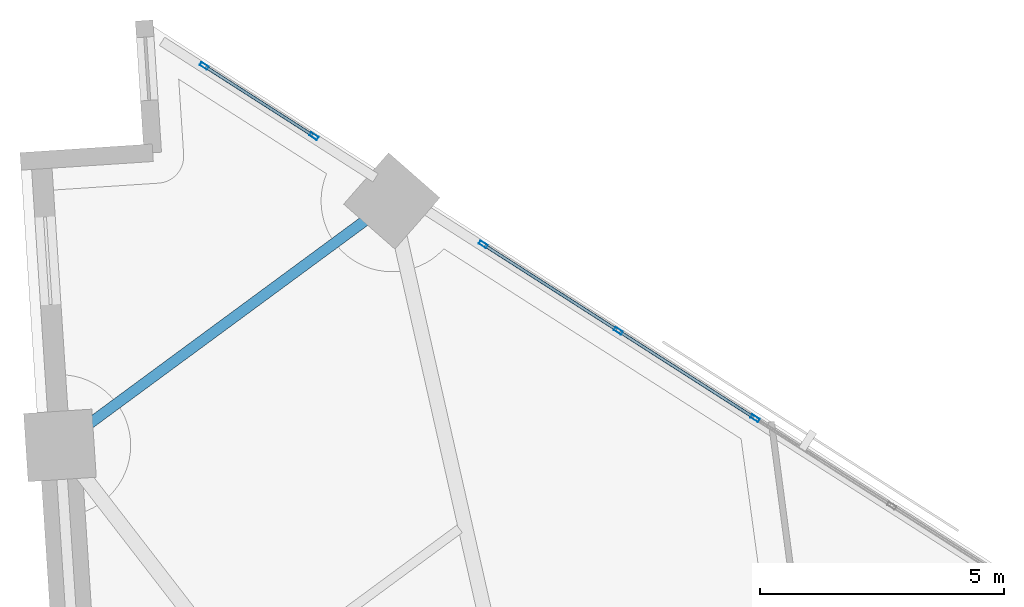
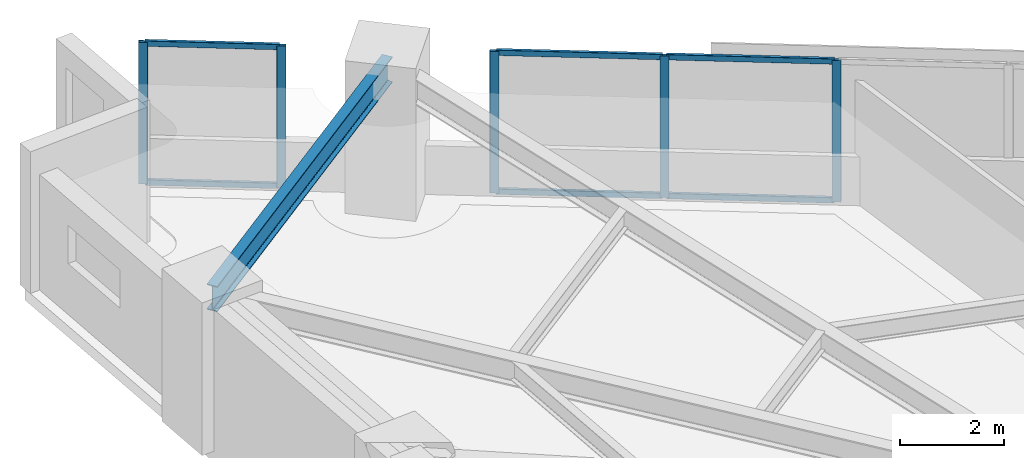
# One storey, part 9 of 16: 11 members, 1 beam, 2 elements without a shape of their own.
"""IFC4 building model written with IfcOpenShell, lengths in metres."""

from ifc_helpers import new_model, si_unit, direction, frame, origin, origin_2d, place, context, subcontext, project, spatial, hollow_rectangle, i_section, extrude, material, material_profile, profile_set, type_object, element, aggregate, save


model = new_model("IFC4")

# Units and contexts
model_context = context("Model", 3, precision=1e-05, world=origin(), true_north=direction((0.0, 1.0)))
body_context = subcontext(model_context, "Body", "Model", "MODEL_VIEW")
ifc_project = project(units=[si_unit("LENGTHUNIT", "METRE"), si_unit("AREAUNIT", "SQUARE_METRE"), si_unit("VOLUMEUNIT", "CUBIC_METRE"), si_unit("PLANEANGLEUNIT", "RADIAN"), si_unit("MASSUNIT", "GRAM", prefix="KILO")], contexts=[model_context])

# Site, building, storey
site_placement = place(None, origin())
site = spatial("IfcSite", under=ifc_project, at=site_placement, CompositionType="ELEMENT")
building_placement = place(site_placement, origin())
building = spatial("IfcBuilding", under=site, at=building_placement, Name="Narakoshi Arena Tower", CompositionType="ELEMENT")
storey_placement = place(building_placement, frame((0.0, 0.0, 66.89990234375)))
storey = spatial("IfcBuildingStorey", under=building, at=storey_placement, Name="L17", CompositionType="ELEMENT", Elevation=66.89990234375)

# Beam
ifc_material_1 = material(Name="Structural steel S355J2", Category="steel")
ifc_material_profile_1 = material_profile(ifc_material_1, i_section(OverallWidth=0.219970703125, OverallDepth=0.60009765625, WebThickness=0.011962890625, FlangeThickness=0.01904296875, FilletRadius=0.02392578125, at=origin_2d()), Name="IPE600")
ifc_profile_set_1 = profile_set([ifc_material_profile_1], Name="Structural steel S355J2")
beam_type = type_object("IfcBeamType", Name="BM-EDGE-600", PredefinedType="BEAM", material=ifc_profile_set_1)
beam_placement = place(storey_placement, frame((67.58984375, 76.04345703125, 3.0400390625), z_axis=(-0.805132069621, -0.59309556605, 0.0), x_axis=(0.59309556605, -0.805132069621, 0.0)))
element("IfcBeam", 1, at=beam_placement, inside=storey, type_object=beam_type, Name="L17 Perimeter Edge Girder 11", PredefinedType="BEAM", context=body_context, shape_type="SweptSolid", body=[
    extrude(i_section(OverallWidth=0.219970703125, OverallDepth=0.60009765625, WebThickness=0.011962890625, FlangeThickness=0.01904296875, FilletRadius=0.02392578125, at=origin_2d()), origin(), (0.0, 0.0, 1.0), 8.451416015625),
])

# Curtain wall, members
ifc_material_2 = material(Name="Anodised bronze aluminium 6063-T6", Category="aluminium")
curtain_wall_type = type_object("IfcCurtainWallType", Name="CW-HYP-LOW", PredefinedType="NOTDEFINED", material=ifc_material_2)
curtain_wall_1_placement = place(storey_placement, origin())
curtain_wall_1 = element("IfcCurtainWall", 2, at=curtain_wall_1_placement, inside=storey, type_object=curtain_wall_type, Name="L17 Folded Hypotenuse Curtain Wall 2-2", PredefinedType="NOTDEFINED")
ifc_material_profile_2 = material_profile(ifc_material_2, hollow_rectangle(XDim=0.074951171875, YDim=0.179931640625, WallThickness=0.00390625, OuterFilletRadius=0.0048828125, at=origin_2d()), Name="MUL180x75x4")
ifc_profile_set_2 = profile_set([ifc_material_profile_2], Name="Anodised bronze aluminium 6063-T6")
member_type_1 = type_object("IfcMemberType", Name="MEM-MUL-180", PredefinedType="MULLION", material=ifc_profile_set_2)
member_1_placement = place(storey_placement, frame((75.039794921875, 71.5869140625, 0.0), z_axis=(0.0, 0.0, 1.0), x_axis=(-0.538829098714, -0.842415100992, 0.0)))
member_1 = element("IfcMember", 3, at=member_1_placement, type_object=member_type_1, Name="CW-01 mullion 4", PredefinedType="MULLION", context=body_context, shape_type="SweptSolid", body=[
    extrude(hollow_rectangle(XDim=0.074951171875, YDim=0.179931640625, WallThickness=0.00390625, OuterFilletRadius=0.0048828125, at=origin_2d()), origin(), (0.0, 0.0, 1.0), 3.340087890625),
])
member_2_placement = place(storey_placement, frame((72.236083984375, 73.380126953125, 0.0), z_axis=(0.0, 0.0, 1.0), x_axis=(-0.538829098714, -0.842415100992, 0.0)))
member_2 = element("IfcMember", 4, at=member_2_placement, type_object=member_type_1, Name="CW-01 mullion 5", PredefinedType="MULLION", context=body_context, shape_type="SweptSolid", body=[
    extrude(hollow_rectangle(XDim=0.074951171875, YDim=0.179931640625, WallThickness=0.00390625, OuterFilletRadius=0.0048828125, at=origin_2d()), origin(), (0.0, 0.0, 1.0), 3.340087890625),
])
member_3_placement = place(storey_placement, frame((69.464111328125, 75.1533203125, 0.0), z_axis=(0.0, 0.0, 1.0), x_axis=(-0.538829098714, -0.842415100992, 0.0)))
member_3 = element("IfcMember", 5, at=member_3_placement, type_object=member_type_1, Name="CW-01 mullion 6", PredefinedType="MULLION", context=body_context, shape_type="SweptSolid", body=[
    extrude(hollow_rectangle(XDim=0.074951171875, YDim=0.179931640625, WallThickness=0.00390625, OuterFilletRadius=0.0048828125, at=origin_2d()), origin(), (0.0, 0.0, 1.0), 3.340087890625),
])

curtain_wall_2_placement = place(storey_placement, origin())
curtain_wall_2 = element("IfcCurtainWall", 6, at=curtain_wall_2_placement, inside=storey, type_object=curtain_wall_type, Name="L17 Folded Hypotenuse Curtain Wall 2-3", PredefinedType="NOTDEFINED")
member_4_placement = place(storey_placement, frame((65.99462890625, 77.372314453125, 0.0), z_axis=(0.0, 0.0, 1.0), x_axis=(-0.538841109017, -0.842407418791, 0.0)))
member_4 = element("IfcMember", 7, at=member_4_placement, type_object=member_type_1, Name="CW-01 mullion 1", PredefinedType="MULLION", context=body_context, shape_type="SweptSolid", body=[
    extrude(hollow_rectangle(XDim=0.074951171875, YDim=0.179931640625, WallThickness=0.00390625, OuterFilletRadius=0.0048828125, at=origin_2d()), origin(), (0.0, 0.0, 1.0), 3.340087890625),
])
member_5_placement = place(storey_placement, frame((63.7412109375, 78.813720703125, 0.0), z_axis=(0.0, 0.0, 1.0), x_axis=(-0.538841109017, -0.842407418791, 0.0)))
member_5 = element("IfcMember", 8, at=member_5_placement, type_object=member_type_1, Name="CW-01 mullion 2", PredefinedType="MULLION", context=body_context, shape_type="SweptSolid", body=[
    extrude(hollow_rectangle(XDim=0.074951171875, YDim=0.179931640625, WallThickness=0.00390625, OuterFilletRadius=0.0048828125, at=origin_2d()), origin(), (0.0, 0.0, 1.0), 3.340087890625),
])

# Member
ifc_material_profile_3 = material_profile(ifc_material_2, hollow_rectangle(XDim=0.06494140625, YDim=0.1298828125, WallThickness=0.00390625, OuterFilletRadius=0.0048828125, at=origin_2d()), Name="TRN130x65x4")
ifc_profile_set_3 = profile_set([ifc_material_profile_3], Name="Anodised bronze aluminium 6063-T6")
member_type_2 = type_object("IfcMemberType", Name="MEM-TRN-130", PredefinedType="USERDEFINED", material=ifc_profile_set_3)
member_6_placement = place(storey_placement, frame((75.00830078125, 71.60693359375, 0.03271484375), z_axis=(-0.842407668774, 0.5388407182, 0.0), x_axis=(-0.5388407182, -0.842407668774, 0.0)))
member_6 = element("IfcMember", 9, at=member_6_placement, type_object=member_type_2, Name="CW-01 transom 4.1", ObjectType="TRANSOM", PredefinedType="USERDEFINED", context=body_context, shape_type="SweptSolid", body=[
    extrude(hollow_rectangle(XDim=0.06494140625, YDim=0.1298828125, WallThickness=0.00390625, OuterFilletRadius=0.0048828125, at=origin_2d()), origin(), (0.0, 0.0, 1.0), 3.253173828125),
])

member_7_placement = place(storey_placement, frame((75.00830078125, 71.60693359375, 3.3076171875), z_axis=(-0.842407668774, 0.5388407182, 0.0), x_axis=(-0.5388407182, -0.842407668774, 0.0)))
member_7 = element("IfcMember", 10, at=member_7_placement, type_object=member_type_2, Name="CW-01 transom 4.2", ObjectType="TRANSOM", PredefinedType="USERDEFINED", context=body_context, shape_type="SweptSolid", body=[
    extrude(hollow_rectangle(XDim=0.06494140625, YDim=0.1298828125, WallThickness=0.00390625, OuterFilletRadius=0.0048828125, at=origin_2d()), origin(), (0.0, 0.0, 1.0), 3.253173828125),
])

member_8_placement = place(storey_placement, frame((72.20458984375, 73.400390625, 0.03271484375), z_axis=(-0.842424416084, 0.538814535053, 0.0), x_axis=(-0.538814535053, -0.842424416084, 0.0)))
member_8 = element("IfcMember", 11, at=member_8_placement, type_object=member_type_2, Name="CW-01 transom 5.1", ObjectType="TRANSOM", PredefinedType="USERDEFINED", context=body_context, shape_type="SweptSolid", body=[
    extrude(hollow_rectangle(XDim=0.06494140625, YDim=0.1298828125, WallThickness=0.00390625, OuterFilletRadius=0.0048828125, at=origin_2d()), origin(), (0.0, 0.0, 1.0), 3.2158203125),
])

member_9_placement = place(storey_placement, frame((72.20458984375, 73.400390625, 3.3076171875), z_axis=(-0.842424416084, 0.538814535053, 0.0), x_axis=(-0.538814535053, -0.842424416084, 0.0)))
member_9 = element("IfcMember", 12, at=member_9_placement, type_object=member_type_2, Name="CW-01 transom 5.2", ObjectType="TRANSOM", PredefinedType="USERDEFINED", context=body_context, shape_type="SweptSolid", body=[
    extrude(hollow_rectangle(XDim=0.06494140625, YDim=0.1298828125, WallThickness=0.00390625, OuterFilletRadius=0.0048828125, at=origin_2d()), origin(), (0.0, 0.0, 1.0), 3.2158203125),
])

aggregate(curtain_wall_1, [member_1, member_2, member_3, member_6, member_7, member_8, member_9])

member_10_placement = place(storey_placement, frame((65.963134765625, 77.392578125, 0.03271484375), z_axis=(-0.84237541022, 0.538891146946, 0.0), x_axis=(-0.538891146946, -0.84237541022, 0.0)))
member_10 = element("IfcMember", 13, at=member_10_placement, type_object=member_type_2, Name="CW-01 transom 1.1", ObjectType="TRANSOM", PredefinedType="USERDEFINED", context=body_context, shape_type="SweptSolid", body=[
    extrude(hollow_rectangle(XDim=0.06494140625, YDim=0.1298828125, WallThickness=0.00390625, OuterFilletRadius=0.0048828125, at=origin_2d()), origin(), (0.0, 0.0, 1.0), 2.60009765625),
])

member_11_placement = place(storey_placement, frame((65.963134765625, 77.392578125, 3.3076171875), z_axis=(-0.84237541022, 0.538891146946, 0.0), x_axis=(-0.538891146946, -0.84237541022, 0.0)))
member_11 = element("IfcMember", 14, at=member_11_placement, type_object=member_type_2, Name="CW-01 transom 1.2", ObjectType="TRANSOM", PredefinedType="USERDEFINED", context=body_context, shape_type="SweptSolid", body=[
    extrude(hollow_rectangle(XDim=0.06494140625, YDim=0.1298828125, WallThickness=0.00390625, OuterFilletRadius=0.0048828125, at=origin_2d()), origin(), (0.0, 0.0, 1.0), 2.60009765625),
])

aggregate(curtain_wall_2, [member_4, member_5, member_10, member_11])

save(model, "model.ifc")
